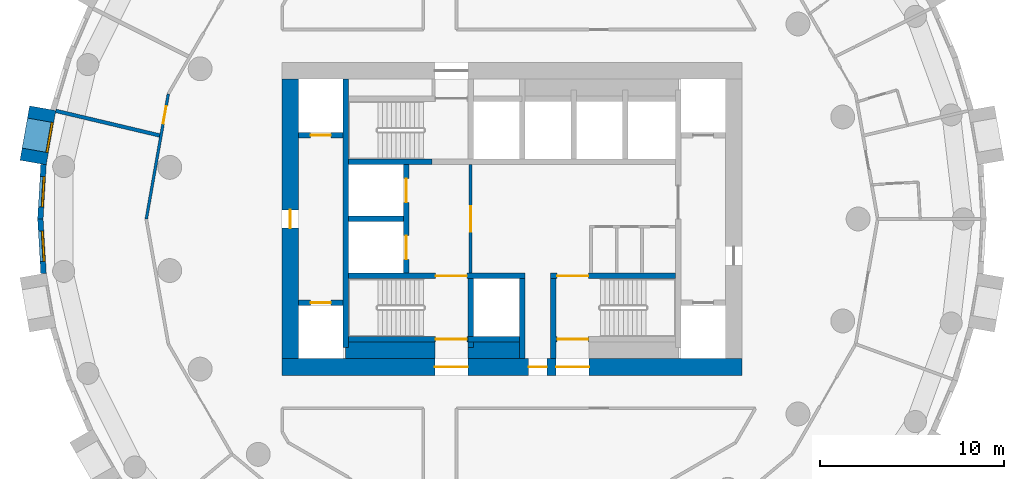
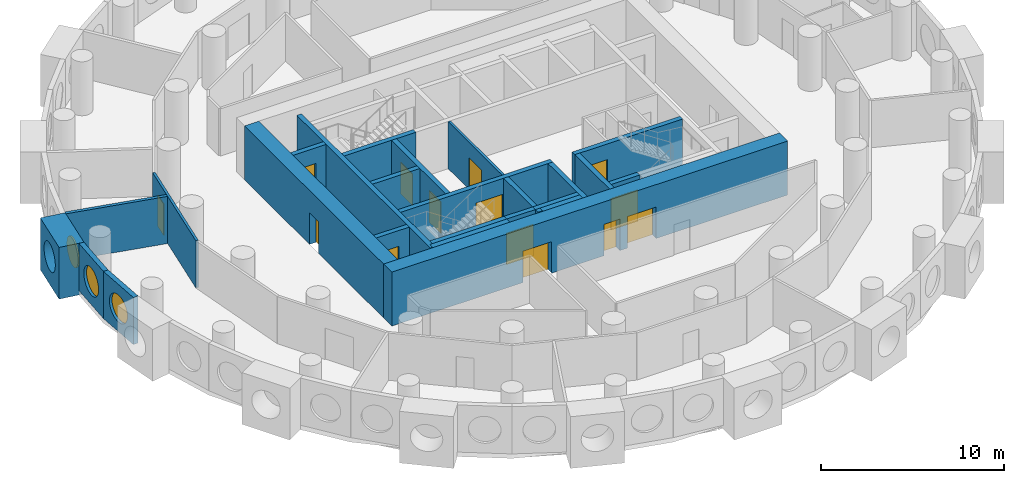
# One storey, part 3 of 9: 25 walls, 14 doors, 3 windows, 17 openings.
"""IFC4 building model written with IfcOpenShell, lengths in metres."""

from ifc_helpers import new_model, si_unit, direction, frame, frame_2d, origin, origin_2d, place, context, subcontext, project, spatial, rectangle, circle, extrude, material, layer, layer_set, type_object, element, fill, save


model = new_model("IFC4")

# Units and contexts
model_context = context("Model", 3, precision=1e-05, world=origin(), true_north=direction((0.0, 1.0)))
body_context = subcontext(model_context, "Body", "Model", "MODEL_VIEW")
ifc_project = project(units=[si_unit("LENGTHUNIT", "METRE"), si_unit("AREAUNIT", "SQUARE_METRE"), si_unit("VOLUMEUNIT", "CUBIC_METRE"), si_unit("PLANEANGLEUNIT", "RADIAN"), si_unit("MASSUNIT", "GRAM", prefix="KILO")], contexts=[model_context])

# Site, building, storey
site_placement = place(None, origin())
site = spatial("IfcSite", under=ifc_project, at=site_placement, CompositionType="ELEMENT")
building_placement = place(site_placement, origin())
building = spatial("IfcBuilding", under=site, at=building_placement, Name="Tracery Tower", CompositionType="ELEMENT")
storey_placement = place(building_placement, frame((0.0, 0.0, 216.0)))
storey = spatial("IfcBuildingStorey", under=building, at=storey_placement, Name="L56", CompositionType="ELEMENT", Elevation=216.0)

# Wall, opening, door
ifc_material_1 = material(Name="Plasterboard on steel studs", Category="steel")
ifc_layer_1 = layer(ifc_material_1, 0.14990234375)
ifc_layer_set_1 = layer_set([ifc_layer_1], Name="Core lobby partition 150")
wall_type_1 = type_object("IfcWallType", Name="Core lobby partition 150", PredefinedType="SOLIDWALL", material=ifc_layer_set_1)
wall_1_placement = place(storey_placement, frame((-2.25, -2.949951171875, 0.0), z_axis=(0.0, 0.0, 1.0), x_axis=(0.0, 1.0, 0.0)))
wall_1 = element("IfcWall", 1, at=wall_1_placement, inside=storey, type_object=wall_type_1, Name="L56 FF lobby E", PredefinedType="SOLIDWALL", context=body_context, shape_type="SweptSolid", body=[
    extrude(rectangle(XDim=5.89990234375, YDim=0.14990234375, at=frame_2d((2.949951171875, 0.0))), origin(), (0.0, 0.0, 1.0), 3.14990234375),
])
opening_1_placement = place(wall_1_placement, frame((2.25, 0.0, 0.0)))
opening_1 = element("IfcOpeningElement", 2, at=opening_1_placement, cuts=wall_1, Name="Opening KD8", PredefinedType="OPENING", context=body_context, shape_type="SweptSolid", body=[
    extrude(rectangle(XDim=1.39990234375, YDim=2.10009765625, at=frame_2d((0.699951171875, 1.050048828125))), frame((0.0, 0.074951171875, 0.0), z_axis=(0.0, -1.0, 0.0), x_axis=(1.0, 0.0, 0.0)), (0.0, 0.0, 1.0), 0.14990234375),
])
ifc_material_2 = material(Name="Steel fire door", Category="steel")
door_type_1 = type_object("IfcDoorType", Name="Core lobby door 1400 double", OperationType="NOTDEFINED", PredefinedType="DOOR", material=ifc_material_2)
door_1_placement = place(opening_1_placement, origin())
door_1 = element("IfcDoor", 3, at=door_1_placement, inside=storey, type_object=door_type_1, Name="Fire-fighting lobby door", OperationType="DOUBLE_DOOR_SINGLE_SWING", OverallHeight=2.10009765625, OverallWidth=1.39990234375, PredefinedType="DOOR", context=body_context, shape_type="SweptSolid", body=[
    extrude(rectangle(XDim=1.39990234375, YDim=2.10009765625, at=frame_2d((0.699951171875, 1.050048828125))), frame((0.0, 0.02490234375, 0.0), z_axis=(0.0, -1.0, 0.0), x_axis=(1.0, 0.0, 0.0)), (0.0, 0.0, 1.0), 0.050048828125),
])
fill(opening_1, door_1)

# Walls
ifc_material_3 = material(Name="Concrete C50/60", Category="concrete")
ifc_layer_2 = layer(ifc_material_3, 0.89990234375)
ifc_layer_set_2 = layer_set([ifc_layer_2], Name="Core strip wall 900 C50")
wall_type_2 = type_object("IfcWallType", Name="Core strip wall 900 C50", PredefinedType="SOLIDWALL", material=ifc_layer_set_2)
wall_2_placement = place(storey_placement, frame((-9.050048828125, -7.14990234375, 0.0), z_axis=(0.0, 0.0, 1.0), x_axis=(1.0, 0.0, 0.0)))
element("IfcWall", 4, at=wall_2_placement, inside=storey, type_object=wall_type_2, Name="L56 F thick S W", PredefinedType="SOLIDWALL", context=body_context, shape_type="SweptSolid", body=[
    extrude(rectangle(XDim=4.85009765625, YDim=0.89990234375, at=frame_2d((2.425048828125, 0.0))), origin(), (0.0, 0.0, 1.0), 3.14990234375),
])
wall_3_placement = place(storey_placement, frame((-2.39990234375, -7.14990234375, 0.0), z_axis=(0.0, 0.0, 1.0), x_axis=(1.0, 0.0, 0.0)))
element("IfcWall", 5, at=wall_3_placement, inside=storey, type_object=wall_type_2, Name="L56 F thick S mid", PredefinedType="SOLIDWALL", context=body_context, shape_type="SweptSolid", body=[
    extrude(rectangle(XDim=2.7998046875, YDim=0.89990234375, at=frame_2d((1.39990234375, 0.0))), origin(), (0.0, 0.0, 1.0), 3.14990234375),
])

# Wall, openings, doors
ifc_material_4 = material(Name="Concrete C50/60", Category="concrete")
ifc_layer_3 = layer(ifc_material_4, 0.89990234375)
ifc_layer_set_3 = layer_set([ifc_layer_3], Name="Core wall 900 C50")
wall_type_3 = type_object("IfcWallType", Name="Core wall 900 C50", PredefinedType="SOLIDWALL", material=ifc_layer_set_3)
wall_4_placement = place(storey_placement, frame((-12.5, -8.050048828125, 0.0), z_axis=(0.0, 0.0, 1.0), x_axis=(1.0, 0.0, 0.0)))
wall_4 = element("IfcWall", 6, at=wall_4_placement, inside=storey, type_object=wall_type_3, Name="L56 outer S", PredefinedType="SOLIDWALL", context=body_context, shape_type="SweptSolid", body=[
    extrude(rectangle(XDim=25.0, YDim=0.89990234375, at=frame_2d((12.5, 0.0))), origin(), (0.0, 0.0, 1.0), 3.60009765625),
])
opening_2_placement = place(wall_4_placement, frame((13.39990234375, 0.0, 0.0)))
opening_2 = element("IfcOpeningElement", 7, at=opening_2_placement, cuts=wall_4, Name="Opening KD16", PredefinedType="OPENING", context=body_context, shape_type="SweptSolid", body=[
    extrude(rectangle(XDim=1.0, YDim=2.10009765625, at=frame_2d((0.5, 1.050048828125))), frame((0.0, 0.449951171875, 0.0), z_axis=(0.0, -1.0, 0.0), x_axis=(1.0, 0.0, 0.0)), (0.0, 0.0, 1.0), 0.89990234375),
])
opening_3_placement = place(wall_4_placement, frame((8.300048828125, 0.0, 0.0)))
opening_3 = element("IfcOpeningElement", 8, at=opening_3_placement, cuts=wall_4, Name="Opening KD13", PredefinedType="OPENING", context=body_context, shape_type="SweptSolid", body=[
    extrude(rectangle(XDim=1.800048828125, YDim=2.10009765625, at=frame_2d((0.89990234375, 1.050048828125))), frame((0.0, 0.449951171875, 0.0), z_axis=(0.0, -1.0, 0.0), x_axis=(1.0, 0.0, 0.0)), (0.0, 0.0, 1.0), 0.89990234375),
])
opening_4_placement = place(wall_4_placement, frame((14.89990234375, 0.0, 0.0)))
opening_4 = element("IfcOpeningElement", 9, at=opening_4_placement, cuts=wall_4, Name="Opening KD13", PredefinedType="OPENING", context=body_context, shape_type="SweptSolid", body=[
    extrude(rectangle(XDim=1.800048828125, YDim=2.10009765625, at=frame_2d((0.89990234375, 1.050048828125))), frame((0.0, 0.449951171875, 0.0), z_axis=(0.0, -1.0, 0.0), x_axis=(1.0, 0.0, 0.0)), (0.0, 0.0, 1.0), 0.89990234375),
])
ifc_material_5 = material(Name="Steel fire door", Category="steel")
door_type_2 = type_object("IfcDoorType", Name="Core exit door 1000", OperationType="NOTDEFINED", PredefinedType="DOOR", material=ifc_material_5)
door_2_placement = place(opening_2_placement, origin())
door_2 = element("IfcDoor", 10, at=door_2_placement, inside=storey, type_object=door_type_2, Name="Core exit door", OperationType="SINGLE_SWING_LEFT", OverallHeight=2.10009765625, OverallWidth=1.0, PredefinedType="DOOR", context=body_context, shape_type="SweptSolid", body=[
    extrude(rectangle(XDim=1.0, YDim=2.10009765625, at=frame_2d((0.5, 1.050048828125))), frame((0.0, 0.02490234375, 0.0), z_axis=(0.0, -1.0, 0.0), x_axis=(1.0, 0.0, 0.0)), (0.0, 0.0, 1.0), 0.050048828125),
])
fill(opening_2, door_2)
ifc_material_6 = material(Name="Steel fire door", Category="steel")
door_type_3 = type_object("IfcDoorType", Name="Core exit door 1800 double", OperationType="NOTDEFINED", PredefinedType="DOOR", material=ifc_material_6)
door_3_placement = place(opening_3_placement, origin())
door_3 = element("IfcDoor", 11, at=door_3_placement, inside=storey, type_object=door_type_3, Name="Core exit door", OperationType="DOUBLE_DOOR_SINGLE_SWING", OverallHeight=2.10009765625, OverallWidth=1.800048828125, PredefinedType="DOOR", context=body_context, shape_type="SweptSolid", body=[
    extrude(rectangle(XDim=1.800048828125, YDim=2.10009765625, at=frame_2d((0.89990234375, 1.050048828125))), frame((0.0, 0.02490234375, 0.0), z_axis=(0.0, -1.0, 0.0), x_axis=(1.0, 0.0, 0.0)), (0.0, 0.0, 1.0), 0.050048828125),
])
fill(opening_3, door_3)
door_4_placement = place(opening_4_placement, origin())
door_4 = element("IfcDoor", 12, at=door_4_placement, inside=storey, type_object=door_type_3, Name="Core exit door", OperationType="DOUBLE_DOOR_SINGLE_SWING", OverallHeight=2.10009765625, OverallWidth=1.800048828125, PredefinedType="DOOR", context=body_context, shape_type="SweptSolid", body=[
    extrude(rectangle(XDim=1.800048828125, YDim=2.10009765625, at=frame_2d((0.89990234375, 1.050048828125))), frame((0.0, 0.02490234375, 0.0), z_axis=(0.0, -1.0, 0.0), x_axis=(1.0, 0.0, 0.0)), (0.0, 0.0, 1.0), 0.050048828125),
])
fill(opening_4, door_4)

# Wall, opening, door
wall_5_placement = place(storey_placement, frame((-12.050048828125, -7.60009765625, 0.0), z_axis=(0.0, 0.0, 1.0), x_axis=(0.0, 1.0, 0.0)))
wall_5 = element("IfcWall", 13, at=wall_5_placement, inside=storey, type_object=wall_type_3, Name="L56 outer W", PredefinedType="SOLIDWALL", context=body_context, shape_type="SweptSolid", body=[
    extrude(rectangle(XDim=15.2001953125, YDim=0.89990234375, at=frame_2d((7.60009765625, 0.0))), origin(), (0.0, 0.0, 1.0), 3.60009765625),
])
opening_5_placement = place(wall_5_placement, frame((7.10009765625, 0.0, 0.0)))
opening_5 = element("IfcOpeningElement", 14, at=opening_5_placement, cuts=wall_5, Name="Opening KD18", PredefinedType="OPENING", context=body_context, shape_type="SweptSolid", body=[
    extrude(rectangle(XDim=1.0, YDim=2.10009765625, at=frame_2d((0.5, 1.050048828125))), frame((0.0, 0.449951171875, 0.0), z_axis=(0.0, -1.0, 0.0), x_axis=(1.0, 0.0, 0.0)), (0.0, 0.0, 1.0), 0.89990234375),
])
door_5_placement = place(opening_5_placement, origin())
door_5 = element("IfcDoor", 15, at=door_5_placement, inside=storey, type_object=door_type_2, Name="Core exit door", OperationType="DOUBLE_DOOR_SINGLE_SWING", OverallHeight=2.10009765625, OverallWidth=1.0, PredefinedType="DOOR", context=body_context, shape_type="SweptSolid", body=[
    extrude(rectangle(XDim=1.0, YDim=2.10009765625, at=frame_2d((0.5, 1.050048828125))), frame((0.0, 0.02490234375, 0.0), z_axis=(0.0, -1.0, 0.0), x_axis=(1.0, 0.0, 0.0)), (0.0, 0.0, 1.0), 0.050048828125),
])
fill(opening_5, door_5)

# Wall, opening, window
ifc_material_7 = material(Name="Precast concrete C50/60", Category="concrete")
ifc_layer_4 = layer(ifc_material_7, 1.449951171875)
ifc_layer_set_4 = layer_set([ifc_layer_4], Name="Deep-set bay unit 3000 x 3450, slab edge 300")
wall_type_4 = type_object("IfcWallType", Name="Deep-set bay unit 3000 x 3450, slab edge 300", PredefinedType="ELEMENTEDWALL", material=ifc_layer_set_4)
wall_6_placement = place(storey_placement, frame((-25.520751953125, 6.023193359375, -0.300048828125), z_axis=(0.0, 0.0, 1.0), x_axis=(-0.173669267716, -0.984804034035, 0.0)))
wall_6 = element("IfcWall", 16, at=wall_6_placement, inside=storey, type_object=wall_type_4, Name="Deep-set bay unit 26 at L56", PredefinedType="ELEMENTEDWALL", context=body_context, shape_type="SweptSolid", body=[
    extrude(rectangle(XDim=3.0, YDim=1.449951171875, at=frame_2d((1.5, 0.0))), origin(), (0.0, 0.0, 1.0), 3.449951171875),
])
opening_6_placement = place(wall_6_placement, frame((1.5, 0.0, 1.85009765625)))
opening_6 = element("IfcOpeningElement", 17, at=opening_6_placement, cuts=wall_6, Name="Opening WN1", PredefinedType="OPENING", context=body_context, shape_type="SweptSolid", body=[
    extrude(circle(Radius=0.9000244140625, at=origin_2d()), frame((0.0, 0.73486328125, 0.0), z_axis=(0.0, -1.0, 0.0), x_axis=(1.0, 0.0, 0.0)), (0.0, 0.0, 1.0), 1.469970703125),
])
ifc_material_8 = material(Name="Aluminium frame with tinted double glazing", Category="aluminium")
window_type = type_object("IfcWindowType", Name="Round window 1800", PartitioningType="SINGLE_PANEL", PredefinedType="WINDOW", material=ifc_material_8)
window_1_placement = place(opening_6_placement, origin())
window_1 = element("IfcWindow", 18, at=window_1_placement, inside=storey, type_object=window_type, Name="Round window 26 at L56", OverallHeight=1.800048828125, OverallWidth=1.800048828125, PartitioningType="SINGLE_PANEL", PredefinedType="WINDOW", context=body_context, shape_type="SweptSolid", body=[
    extrude(circle(Radius=0.9000244140625, at=origin_2d()), frame((0.0, 0.69482421875, 0.0), z_axis=(0.0, -1.0, 0.0), x_axis=(1.0, 0.0, 0.0)), (0.0, 0.0, 1.0), 0.10009765625),
])
fill(opening_6, window_1)

ifc_material_9 = material(Name="Precast concrete C50/60", Category="concrete")
ifc_layer_5 = layer(ifc_material_9, 0.300048828125)
ifc_layer_set_5 = layer_set([ifc_layer_5], Name="Facade panel 3000 x 3150")
wall_type_5 = type_object("IfcWallType", Name="Facade panel 3000 x 3150", PredefinedType="SOLIDWALL", material=ifc_layer_set_5)
wall_7_placement = place(storey_placement, frame((-25.474609375, 2.9677734375, 0.0), z_axis=(0.0, 0.0, 1.0), x_axis=(-0.058144307138, -0.998308188661, 0.0)))
wall_7 = element("IfcWall", 19, at=wall_7_placement, inside=storey, type_object=wall_type_5, Name="Facade panel 27 at L56", PredefinedType="SOLIDWALL", context=body_context, shape_type="SweptSolid", body=[
    extrude(rectangle(XDim=2.972900390625, YDim=0.300048828125, at=frame_2d((1.486328125, 0.0))), origin(), (0.0, 0.0, 1.0), 3.14990234375),
])
opening_7_placement = place(wall_7_placement, frame((1.486328125, 0.0, 1.5498046875)))
opening_7 = element("IfcOpeningElement", 20, at=opening_7_placement, cuts=wall_7, Name="Opening WN1", PredefinedType="OPENING", context=body_context, shape_type="SweptSolid", body=[
    extrude(circle(Radius=0.9000244140625, at=origin_2d()), frame((0.0, 0.159912109375, 0.0), z_axis=(0.0, -1.0, 0.0), x_axis=(1.0, 0.0, 0.0)), (0.0, 0.0, 1.0), 0.320068359375),
])
window_2_placement = place(opening_7_placement, origin())
window_2 = element("IfcWindow", 21, at=window_2_placement, inside=storey, type_object=window_type, Name="Round window 27 at L56", OverallHeight=1.800048828125, OverallWidth=1.800048828125, PartitioningType="SINGLE_PANEL", PredefinedType="WINDOW", context=body_context, shape_type="SweptSolid", body=[
    extrude(circle(Radius=0.9000244140625, at=origin_2d()), frame((0.0, 0.1201171875, 0.0), z_axis=(0.0, -1.0, 0.0), x_axis=(1.0, 0.0, 0.0)), (0.0, 0.0, 1.0), 0.10009765625),
])
fill(opening_7, window_2)

wall_8_placement = place(storey_placement, frame((-25.6474609375, 0.0, 0.0), z_axis=(0.0, 0.0, 1.0), x_axis=(0.058144307138, -0.998308188661, 0.0)))
wall_8 = element("IfcWall", 22, at=wall_8_placement, inside=storey, type_object=wall_type_5, Name="Facade panel 28 at L56", PredefinedType="SOLIDWALL", context=body_context, shape_type="SweptSolid", body=[
    extrude(rectangle(XDim=2.972900390625, YDim=0.300048828125, at=frame_2d((1.486328125, 0.0))), origin(), (0.0, 0.0, 1.0), 3.14990234375),
])
opening_8_placement = place(wall_8_placement, frame((1.486328125, 0.0, 1.5498046875)))
opening_8 = element("IfcOpeningElement", 23, at=opening_8_placement, cuts=wall_8, Name="Opening WN1", PredefinedType="OPENING", context=body_context, shape_type="SweptSolid", body=[
    extrude(circle(Radius=0.9000244140625, at=origin_2d()), frame((0.0, 0.159912109375, 0.0), z_axis=(0.0, -1.0, 0.0), x_axis=(1.0, 0.0, 0.0)), (0.0, 0.0, 1.0), 0.320068359375),
])
window_3_placement = place(opening_8_placement, origin())
window_3 = element("IfcWindow", 24, at=window_3_placement, inside=storey, type_object=window_type, Name="Round window 28 at L56", OverallHeight=1.800048828125, OverallWidth=1.800048828125, PartitioningType="SINGLE_PANEL", PredefinedType="WINDOW", context=body_context, shape_type="SweptSolid", body=[
    extrude(circle(Radius=0.9000244140625, at=origin_2d()), frame((0.0, 0.1201171875, 0.0), z_axis=(0.0, -1.0, 0.0), x_axis=(1.0, 0.0, 0.0)), (0.0, 0.0, 1.0), 0.10009765625),
])
fill(opening_8, window_3)

# Wall, opening, door
ifc_material_10 = material(Name="Plasterboard on steel studs", Category="steel")
ifc_layer_6 = layer(ifc_material_10, 0.14990234375)
ifc_layer_set_6 = layer_set([ifc_layer_6], Name="Partition 150 corridor wall")
wall_type_6 = type_object("IfcWallType", Name="Partition 150 corridor wall", PredefinedType="PARTITIONING", material=ifc_layer_set_6)
wall_9_placement = place(storey_placement, frame((-19.88623046875, -0.000244140625, 0.0), z_axis=(0.0, 0.0, 1.0), x_axis=(0.173482860149, 0.984836888644, 0.0)))
wall_9 = element("IfcWall", 25, at=wall_9_placement, inside=storey, type_object=wall_type_6, Name="Corridor wall RB9-027", PredefinedType="PARTITIONING", context=body_context, shape_type="SweptSolid", body=[
    extrude(rectangle(XDim=6.906982421875, YDim=0.14990234375, at=frame_2d((3.45361328125, 0.0))), origin(), (0.0, 0.0, 1.0), 3.14990234375),
])
opening_9_placement = place(wall_9_placement, frame((5.27392578125, 0.0, 0.0)))
opening_9 = element("IfcOpeningElement", 26, at=opening_9_placement, cuts=wall_9, Name="Opening RB9-20", PredefinedType="OPENING", context=body_context, shape_type="SweptSolid", body=[
    extrude(rectangle(XDim=0.949951171875, YDim=2.10009765625, at=frame_2d((0.47509765625, 1.050048828125))), frame((0.0, 0.074951171875, 0.0), z_axis=(0.0, -1.0, 0.0), x_axis=(1.0, 0.0, 0.0)), (0.0, 0.0, 1.0), 0.14990234375),
])
ifc_material_11 = material(Name="Timber door leaf", Category="wood")
door_type_4 = type_object("IfcDoorType", Name="Door store 950", OperationType="NOTDEFINED", PredefinedType="DOOR", material=ifc_material_11)
door_6_placement = place(opening_9_placement, origin())
door_6 = element("IfcDoor", 27, at=door_6_placement, inside=storey, type_object=door_type_4, Name="Store door RB9-20", OperationType="SINGLE_SWING_RIGHT", OverallHeight=2.10009765625, OverallWidth=0.949951171875, PredefinedType="DOOR", context=body_context, shape_type="SweptSolid", body=[
    extrude(rectangle(XDim=0.949951171875, YDim=2.10009765625, at=frame_2d((0.47509765625, 1.050048828125))), frame((0.0, 0.02490234375, 0.0), z_axis=(0.0, -1.0, 0.0), x_axis=(1.0, 0.0, 0.0)), (0.0, 0.0, 1.0), 0.050048828125),
])
fill(opening_9, door_6)

# Walls
ifc_material_12 = material(Name="Plasterboard on steel studs", Category="steel")
ifc_layer_7 = layer(ifc_material_12, 0.199951171875)
ifc_layer_set_7 = layer_set([ifc_layer_7], Name="Partition 200 compartment wall")
wall_type_7 = type_object("IfcWallType", Name="Partition 200 compartment wall", PredefinedType="PARTITIONING", material=ifc_layer_set_7)
wall_10_placement = place(storey_placement, frame((-24.81005859375, 5.8798828125, 0.0), z_axis=(0.0, 0.0, 1.0), x_axis=(0.973033452951, -0.230664040193, 0.0)))
element("IfcWall", 28, at=wall_10_placement, inside=storey, type_object=wall_type_7, Name="Compartment wall RB9-065", PredefinedType="PARTITIONING", context=body_context, shape_type="SweptSolid", body=[
    extrude(rectangle(XDim=5.87841796875, YDim=0.199951171875, at=frame_2d((2.939208984375, 0.0))), origin(), (0.0, 0.0, 1.0), 3.14990234375),
])
ifc_material_13 = material(Name="Concrete C50/60", Category="concrete")
ifc_layer_8 = layer(ifc_material_13, 0.300048828125)
ifc_layer_set_8 = layer_set([ifc_layer_8], Name="Shaft wall 300 C50")
wall_type_8 = type_object("IfcWallType", Name="Shaft wall 300 C50", PredefinedType="SOLIDWALL", material=ifc_layer_set_8)
wall_11_placement = place(storey_placement, frame((-8.89990234375, 0.0, 0.0), z_axis=(0.0, 0.0, 1.0), x_axis=(1.0, 0.0, 0.0)))
element("IfcWall", 29, at=wall_11_placement, inside=storey, type_object=wall_type_8, Name="L56 FF split", PredefinedType="SOLIDWALL", context=body_context, shape_type="SweptSolid", body=[
    extrude(rectangle(XDim=3.0, YDim=0.300048828125, at=frame_2d((1.5, 0.0))), origin(), (0.0, 0.0, 1.0), 3.14990234375),
])

# Wall, openings, doors
wall_12_placement = place(storey_placement, frame((-5.75, -2.949951171875, 0.0), z_axis=(0.0, 0.0, 1.0), x_axis=(0.0, 1.0, 0.0)))
wall_12 = element("IfcWall", 30, at=wall_12_placement, inside=storey, type_object=wall_type_8, Name="L56 FF doors", PredefinedType="SOLIDWALL", context=body_context, shape_type="SweptSolid", body=[
    extrude(rectangle(XDim=5.89990234375, YDim=0.300048828125, at=frame_2d((2.949951171875, 0.0))), origin(), (0.0, 0.0, 1.0), 3.14990234375),
])
opening_10_placement = place(wall_12_placement, frame((0.75, 0.0, 0.0)))
opening_10 = element("IfcOpeningElement", 31, at=opening_10_placement, cuts=wall_12, Name="Opening KD54", PredefinedType="OPENING", context=body_context, shape_type="SweptSolid", body=[
    extrude(rectangle(XDim=1.300048828125, YDim=2.10009765625, at=frame_2d((0.64990234375, 1.050048828125))), frame((0.0, 0.14990234375, 0.0), z_axis=(0.0, -1.0, 0.0), x_axis=(1.0, 0.0, 0.0)), (0.0, 0.0, 1.0), 0.300048828125),
])
opening_11_placement = place(wall_12_placement, frame((3.85009765625, 0.0, 0.0)))
opening_11 = element("IfcOpeningElement", 32, at=opening_11_placement, cuts=wall_12, Name="Opening KD55", PredefinedType="OPENING", context=body_context, shape_type="SweptSolid", body=[
    extrude(rectangle(XDim=1.300048828125, YDim=2.10009765625, at=frame_2d((0.64990234375, 1.050048828125))), frame((0.0, 0.14990234375, 0.0), z_axis=(0.0, -1.0, 0.0), x_axis=(1.0, 0.0, 0.0)), (0.0, 0.0, 1.0), 0.300048828125),
])
ifc_material_14 = material(Name="Steel fire door", Category="steel")
door_type_5 = type_object("IfcDoorType", Name="Landing door FF 1300", OperationType="NOTDEFINED", PredefinedType="DOOR", material=ifc_material_14)
door_7_placement = place(opening_10_placement, origin())
door_7 = element("IfcDoor", 33, at=door_7_placement, inside=storey, type_object=door_type_5, Name="Landing door FF1", OperationType="SLIDING_TO_LEFT", OverallHeight=2.10009765625, OverallWidth=1.300048828125, PredefinedType="DOOR", context=body_context, shape_type="SweptSolid", body=[
    extrude(rectangle(XDim=1.300048828125, YDim=2.10009765625, at=frame_2d((0.64990234375, 1.050048828125))), frame((0.0, 0.02490234375, 0.0), z_axis=(0.0, -1.0, 0.0), x_axis=(1.0, 0.0, 0.0)), (0.0, 0.0, 1.0), 0.050048828125),
])
fill(opening_10, door_7)
door_8_placement = place(opening_11_placement, origin())
door_8 = element("IfcDoor", 34, at=door_8_placement, inside=storey, type_object=door_type_5, Name="Landing door FF2", OperationType="SLIDING_TO_RIGHT", OverallHeight=2.10009765625, OverallWidth=1.300048828125, PredefinedType="DOOR", context=body_context, shape_type="SweptSolid", body=[
    extrude(rectangle(XDim=1.300048828125, YDim=2.10009765625, at=frame_2d((0.64990234375, 1.050048828125))), frame((0.0, 0.02490234375, 0.0), z_axis=(0.0, -1.0, 0.0), x_axis=(1.0, 0.0, 0.0)), (0.0, 0.0, 1.0), 0.050048828125),
])
fill(opening_11, door_8)

# Wall
wall_13_placement = place(storey_placement, frame((0.550048828125, -7.60009765625, 0.0), z_axis=(0.0, 0.0, 1.0), x_axis=(0.0, 1.0, 0.0)))
element("IfcWall", 35, at=wall_13_placement, inside=storey, type_object=wall_type_8, Name="L56 OB2 E", PredefinedType="SOLIDWALL", context=body_context, shape_type="SweptSolid", body=[
    extrude(rectangle(XDim=4.35009765625, YDim=0.300048828125, at=frame_2d((2.175048828125, 0.0))), origin(), (0.0, 0.0, 1.0), 3.14990234375),
])

# Wall, opening, door
wall_14_placement = place(storey_placement, frame((-11.60009765625, -4.550048828125, 0.0), z_axis=(0.0, 0.0, 1.0), x_axis=(1.0, 0.0, 0.0)))
wall_14 = element("IfcWall", 36, at=wall_14_placement, inside=storey, type_object=wall_type_8, Name="L56 MR W -4.55", PredefinedType="SOLIDWALL", context=body_context, shape_type="SweptSolid", body=[
    extrude(rectangle(XDim=2.400146484375, YDim=0.300048828125, at=frame_2d((1.2001953125, 0.0))), origin(), (0.0, 0.0, 1.0), 3.14990234375),
])
opening_12_placement = place(wall_14_placement, frame((0.64990234375, 0.0, 0.0)))
opening_12 = element("IfcOpeningElement", 37, at=opening_12_placement, cuts=wall_14, Name="Opening KD50", PredefinedType="OPENING", context=body_context, shape_type="SweptSolid", body=[
    extrude(rectangle(XDim=1.10009765625, YDim=2.10009765625, at=frame_2d((0.550048828125, 1.050048828125))), frame((0.0, 0.14990234375, 0.0), z_axis=(0.0, -1.0, 0.0), x_axis=(1.0, 0.0, 0.0)), (0.0, 0.0, 1.0), 0.300048828125),
])
ifc_material_15 = material(Name="Steel fire door", Category="steel")
door_type_6 = type_object("IfcDoorType", Name="Landing door 1100", OperationType="NOTDEFINED", PredefinedType="DOOR", material=ifc_material_15)
door_9_placement = place(opening_12_placement, origin())
door_9 = element("IfcDoor", 38, at=door_9_placement, inside=storey, type_object=door_type_6, Name="Landing door MR1", OperationType="SLIDING_TO_RIGHT", OverallHeight=2.10009765625, OverallWidth=1.10009765625, PredefinedType="DOOR", context=body_context, shape_type="SweptSolid", body=[
    extrude(rectangle(XDim=1.10009765625, YDim=2.10009765625, at=frame_2d((0.550048828125, 1.050048828125))), frame((0.0, 0.02490234375, 0.0), z_axis=(0.0, -1.0, 0.0), x_axis=(1.0, 0.0, 0.0)), (0.0, 0.0, 1.0), 0.050048828125),
])
fill(opening_12, door_9)

wall_15_placement = place(storey_placement, frame((-11.60009765625, 4.550048828125, 0.0), z_axis=(0.0, 0.0, 1.0), x_axis=(1.0, 0.0, 0.0)))
wall_15 = element("IfcWall", 39, at=wall_15_placement, inside=storey, type_object=wall_type_8, Name="L56 MR W +4.55", PredefinedType="SOLIDWALL", context=body_context, shape_type="SweptSolid", body=[
    extrude(rectangle(XDim=2.400146484375, YDim=0.300048828125, at=frame_2d((1.2001953125, 0.0))), origin(), (0.0, 0.0, 1.0), 3.14990234375),
])
opening_13_placement = place(wall_15_placement, frame((0.64990234375, 0.0, 0.0)))
opening_13 = element("IfcOpeningElement", 40, at=opening_13_placement, cuts=wall_15, Name="Opening KD49", PredefinedType="OPENING", context=body_context, shape_type="SweptSolid", body=[
    extrude(rectangle(XDim=1.10009765625, YDim=2.10009765625, at=frame_2d((0.550048828125, 1.050048828125))), frame((0.0, 0.14990234375, 0.0), z_axis=(0.0, -1.0, 0.0), x_axis=(1.0, 0.0, 0.0)), (0.0, 0.0, 1.0), 0.300048828125),
])
door_10_placement = place(opening_13_placement, origin())
door_10 = element("IfcDoor", 41, at=door_10_placement, inside=storey, type_object=door_type_6, Name="Landing door MR2", OperationType="SLIDING_TO_LEFT", OverallHeight=2.10009765625, OverallWidth=1.10009765625, PredefinedType="DOOR", context=body_context, shape_type="SweptSolid", body=[
    extrude(rectangle(XDim=1.10009765625, YDim=2.10009765625, at=frame_2d((0.550048828125, 1.050048828125))), frame((0.0, 0.02490234375, 0.0), z_axis=(0.0, -1.0, 0.0), x_axis=(1.0, 0.0, 0.0)), (0.0, 0.0, 1.0), 0.050048828125),
])
fill(opening_13, door_10)

ifc_material_16 = material(Name="Concrete C50/60", Category="concrete")
ifc_layer_9 = layer(ifc_material_16, 0.300048828125)
ifc_layer_set_9 = layer_set([ifc_layer_9], Name="Stair wall 300 C50")
wall_type_9 = type_object("IfcWallType", Name="Stair wall 300 C50", PredefinedType="SOLIDWALL", material=ifc_layer_set_9)
wall_16_placement = place(storey_placement, frame((-8.89990234375, -3.10009765625, 0.0), z_axis=(0.0, 0.0, 1.0), x_axis=(1.0, 0.0, 0.0)))
wall_16 = element("IfcWall", 42, at=wall_16_placement, inside=storey, type_object=wall_type_9, Name="L56 row S", PredefinedType="SOLIDWALL", context=body_context, shape_type="SweptSolid", body=[
    extrude(rectangle(XDim=9.599853515625, YDim=0.300048828125, at=frame_2d((4.7998046875, 0.0))), origin(), (0.0, 0.0, 1.0), 3.14990234375),
])
opening_14_placement = place(wall_16_placement, frame((4.75, 0.0, 0.0)))
opening_14 = element("IfcOpeningElement", 43, at=opening_14_placement, cuts=wall_16, Name="Opening KD3", PredefinedType="OPENING", context=body_context, shape_type="SweptSolid", body=[
    extrude(rectangle(XDim=1.699951171875, YDim=2.10009765625, at=frame_2d((0.85009765625, 1.050048828125))), frame((0.0, 0.14990234375, 0.0), z_axis=(0.0, -1.0, 0.0), x_axis=(1.0, 0.0, 0.0)), (0.0, 0.0, 1.0), 0.300048828125),
])
ifc_material_17 = material(Name="Steel fire door", Category="steel")
door_type_7 = type_object("IfcDoorType", Name="Core stair door 1700 double", OperationType="NOTDEFINED", PredefinedType="DOOR", material=ifc_material_17)
door_11_placement = place(opening_14_placement, origin())
door_11 = element("IfcDoor", 44, at=door_11_placement, inside=storey, type_object=door_type_7, Name="Stair door ST1", OperationType="DOUBLE_DOOR_SINGLE_SWING", OverallHeight=2.10009765625, OverallWidth=1.699951171875, PredefinedType="DOOR", context=body_context, shape_type="SweptSolid", body=[
    extrude(rectangle(XDim=1.699951171875, YDim=2.10009765625, at=frame_2d((0.85009765625, 1.050048828125))), frame((0.0, 0.02490234375, 0.0), z_axis=(0.0, -1.0, 0.0), x_axis=(1.0, 0.0, 0.0)), (0.0, 0.0, 1.0), 0.050048828125),
])
fill(opening_14, door_11)

wall_17_placement = place(storey_placement, frame((2.10009765625, -3.10009765625, 0.0), z_axis=(0.0, 0.0, 1.0), x_axis=(1.0, 0.0, 0.0)))
wall_17 = element("IfcWall", 45, at=wall_17_placement, inside=storey, type_object=wall_type_9, Name="L56 row S E", PredefinedType="SOLIDWALL", context=body_context, shape_type="SweptSolid", body=[
    extrude(rectangle(XDim=6.7998046875, YDim=0.300048828125, at=frame_2d((3.39990234375, 0.0))), origin(), (0.0, 0.0, 1.0), 3.14990234375),
])
opening_15_placement = place(wall_17_placement, frame((0.35009765625, 0.0, 0.0)))
opening_15 = element("IfcOpeningElement", 46, at=opening_15_placement, cuts=wall_17, Name="Opening KD3", PredefinedType="OPENING", context=body_context, shape_type="SweptSolid", body=[
    extrude(rectangle(XDim=1.699951171875, YDim=2.10009765625, at=frame_2d((0.85009765625, 1.050048828125))), frame((0.0, 0.14990234375, 0.0), z_axis=(0.0, -1.0, 0.0), x_axis=(1.0, 0.0, 0.0)), (0.0, 0.0, 1.0), 0.300048828125),
])
door_12_placement = place(opening_15_placement, origin())
door_12 = element("IfcDoor", 47, at=door_12_placement, inside=storey, type_object=door_type_7, Name="Stair door ST2", OperationType="DOUBLE_DOOR_SINGLE_SWING", OverallHeight=2.10009765625, OverallWidth=1.699951171875, PredefinedType="DOOR", context=body_context, shape_type="SweptSolid", body=[
    extrude(rectangle(XDim=1.699951171875, YDim=2.10009765625, at=frame_2d((0.85009765625, 1.050048828125))), frame((0.0, 0.02490234375, 0.0), z_axis=(0.0, -1.0, 0.0), x_axis=(1.0, 0.0, 0.0)), (0.0, 0.0, 1.0), 0.050048828125),
])
fill(opening_15, door_12)

# Walls
wall_18_placement = place(storey_placement, frame((-8.89990234375, 3.10009765625, 0.0), z_axis=(0.0, 0.0, 1.0), x_axis=(1.0, 0.0, 0.0)))
element("IfcWall", 48, at=wall_18_placement, inside=storey, type_object=wall_type_9, Name="L56 row N W", PredefinedType="SOLIDWALL", context=body_context, shape_type="SweptSolid", body=[
    extrude(rectangle(XDim=4.5498046875, YDim=0.300048828125, at=frame_2d((2.27490234375, 0.0))), origin(), (0.0, 0.0, 1.0), 3.14990234375),
])
wall_19_placement = place(storey_placement, frame((-2.25, -7.0, 0.0), z_axis=(0.0, 0.0, 1.0), x_axis=(0.0, 1.0, 0.0)))
element("IfcWall", 49, at=wall_19_placement, inside=storey, type_object=wall_type_9, Name="L56 ST1 E", PredefinedType="SOLIDWALL", context=body_context, shape_type="SweptSolid", body=[
    extrude(rectangle(XDim=3.75, YDim=0.300048828125, at=frame_2d((1.875, 0.0))), origin(), (0.0, 0.0, 1.0), 3.14990234375),
])
wall_20_placement = place(storey_placement, frame((2.25, -7.60009765625, 0.0), z_axis=(0.0, 0.0, 1.0), x_axis=(0.0, 1.0, 0.0)))
element("IfcWall", 50, at=wall_20_placement, inside=storey, type_object=wall_type_9, Name="L56 ST2 W", PredefinedType="SOLIDWALL", context=body_context, shape_type="SweptSolid", body=[
    extrude(rectangle(XDim=4.35009765625, YDim=0.300048828125, at=frame_2d((2.175048828125, 0.0))), origin(), (0.0, 0.0, 1.0), 3.14990234375),
])
wall_21_placement = place(storey_placement, frame((-9.050048828125, -7.0, 0.0), z_axis=(0.0, 0.0, 1.0), x_axis=(0.0, 1.0, 0.0)))
element("IfcWall", 51, at=wall_21_placement, inside=storey, type_object=wall_type_9, Name="L56 F wall -9", PredefinedType="SOLIDWALL", context=body_context, shape_type="SweptSolid", body=[
    extrude(rectangle(XDim=14.60009765625, YDim=0.300048828125, at=frame_2d((7.300048828125, 0.0))), origin(), (0.0, 0.0, 1.0), 3.14990234375),
])
wall_22_placement = place(storey_placement, frame((-8.89990234375, -6.550048828125, 0.0), z_axis=(0.0, 0.0, 1.0), x_axis=(1.0, 0.0, 0.0)))
element("IfcWall", 52, at=wall_22_placement, inside=storey, type_object=wall_type_9, Name="L56 F stair strip S W", PredefinedType="SOLIDWALL", context=body_context, shape_type="SweptSolid", body=[
    extrude(rectangle(XDim=4.699951171875, YDim=0.300048828125, at=frame_2d((2.35009765625, 0.0))), origin(), (0.0, 0.0, 1.0), 3.14990234375),
])
wall_23_placement = place(storey_placement, frame((-2.39990234375, -6.550048828125, 0.0), z_axis=(0.0, 0.0, 1.0), x_axis=(1.0, 0.0, 0.0)))
element("IfcWall", 53, at=wall_23_placement, inside=storey, type_object=wall_type_9, Name="L56 F stair strip S mid", PredefinedType="SOLIDWALL", context=body_context, shape_type="SweptSolid", body=[
    extrude(rectangle(XDim=2.7998046875, YDim=0.300048828125, at=frame_2d((1.39990234375, 0.0))), origin(), (0.0, 0.0, 1.0), 3.14990234375),
])

# Wall, opening, door
wall_24_placement = place(storey_placement, frame((-4.199951171875, -6.550048828125, 0.0), z_axis=(0.0, 0.0, 1.0), x_axis=(1.0, 0.0, 0.0)))
wall_24 = element("IfcWall", 54, at=wall_24_placement, inside=storey, type_object=wall_type_9, Name="L56 F stair S W", PredefinedType="SOLIDWALL", context=body_context, shape_type="SweptSolid", body=[
    extrude(rectangle(XDim=1.800048828125, YDim=0.300048828125, at=frame_2d((0.89990234375, 0.0))), origin(), (0.0, 0.0, 1.0), 3.14990234375),
])
opening_16_placement = place(wall_24_placement, frame((0.050048828125, 0.0, 0.0)))
opening_16 = element("IfcOpeningElement", 55, at=opening_16_placement, cuts=wall_24, Name="Opening KD3", PredefinedType="OPENING", context=body_context, shape_type="SweptSolid", body=[
    extrude(rectangle(XDim=1.699951171875, YDim=2.10009765625, at=frame_2d((0.85009765625, 1.050048828125))), frame((0.0, 0.14990234375, 0.0), z_axis=(0.0, -1.0, 0.0), x_axis=(1.0, 0.0, 0.0)), (0.0, 0.0, 1.0), 0.300048828125),
])
door_13_placement = place(opening_16_placement, origin())
door_13 = element("IfcDoor", 56, at=door_13_placement, inside=storey, type_object=door_type_7, Name="Stair door vest", OperationType="DOUBLE_DOOR_SINGLE_SWING", OverallHeight=2.10009765625, OverallWidth=1.699951171875, PredefinedType="DOOR", context=body_context, shape_type="SweptSolid", body=[
    extrude(rectangle(XDim=1.699951171875, YDim=2.10009765625, at=frame_2d((0.85009765625, 1.050048828125))), frame((0.0, 0.02490234375, 0.0), z_axis=(0.0, -1.0, 0.0), x_axis=(1.0, 0.0, 0.0)), (0.0, 0.0, 1.0), 0.050048828125),
])
fill(opening_16, door_13)

wall_25_placement = place(storey_placement, frame((2.39990234375, -6.550048828125, 0.0), z_axis=(0.0, 0.0, 1.0), x_axis=(1.0, 0.0, 0.0)))
wall_25 = element("IfcWall", 57, at=wall_25_placement, inside=storey, type_object=wall_type_9, Name="L56 F stair S E", PredefinedType="SOLIDWALL", context=body_context, shape_type="SweptSolid", body=[
    extrude(rectangle(XDim=1.800048828125, YDim=0.300048828125, at=frame_2d((0.89990234375, 0.0))), origin(), (0.0, 0.0, 1.0), 3.14990234375),
])
opening_17_placement = place(wall_25_placement, frame((0.050048828125, 0.0, 0.0)))
opening_17 = element("IfcOpeningElement", 58, at=opening_17_placement, cuts=wall_25, Name="Opening KD3", PredefinedType="OPENING", context=body_context, shape_type="SweptSolid", body=[
    extrude(rectangle(XDim=1.699951171875, YDim=2.10009765625, at=frame_2d((0.85009765625, 1.050048828125))), frame((0.0, 0.14990234375, 0.0), z_axis=(0.0, -1.0, 0.0), x_axis=(1.0, 0.0, 0.0)), (0.0, 0.0, 1.0), 0.300048828125),
])
door_14_placement = place(opening_17_placement, origin())
door_14 = element("IfcDoor", 59, at=door_14_placement, inside=storey, type_object=door_type_7, Name="Stair door vest", OperationType="DOUBLE_DOOR_SINGLE_SWING", OverallHeight=2.10009765625, OverallWidth=1.699951171875, PredefinedType="DOOR", context=body_context, shape_type="SweptSolid", body=[
    extrude(rectangle(XDim=1.699951171875, YDim=2.10009765625, at=frame_2d((0.85009765625, 1.050048828125))), frame((0.0, 0.02490234375, 0.0), z_axis=(0.0, -1.0, 0.0), x_axis=(1.0, 0.0, 0.0)), (0.0, 0.0, 1.0), 0.050048828125),
])
fill(opening_17, door_14)

save(model, "model.ifc")
